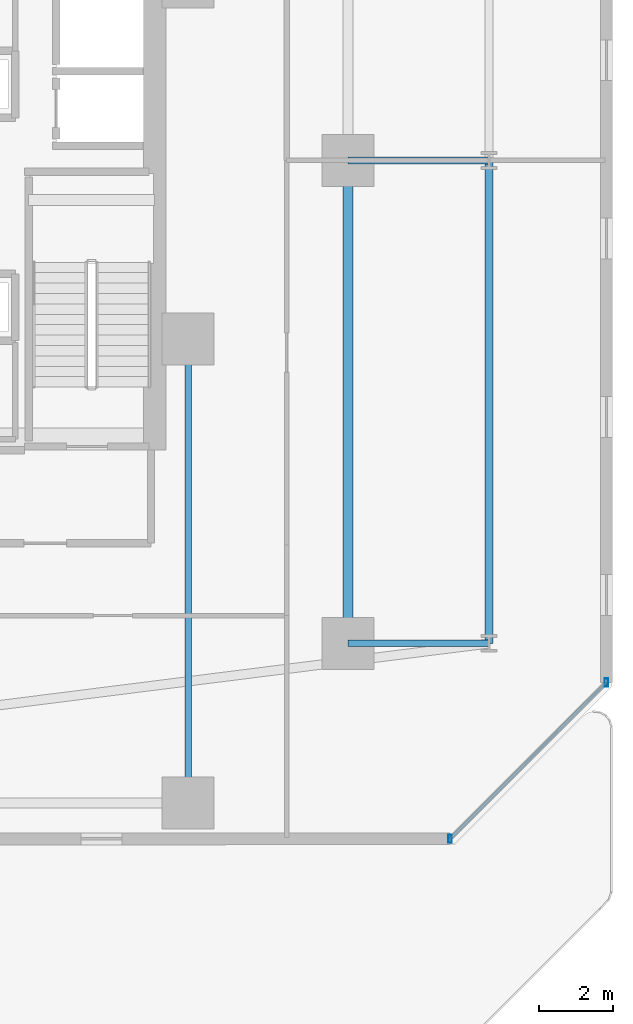
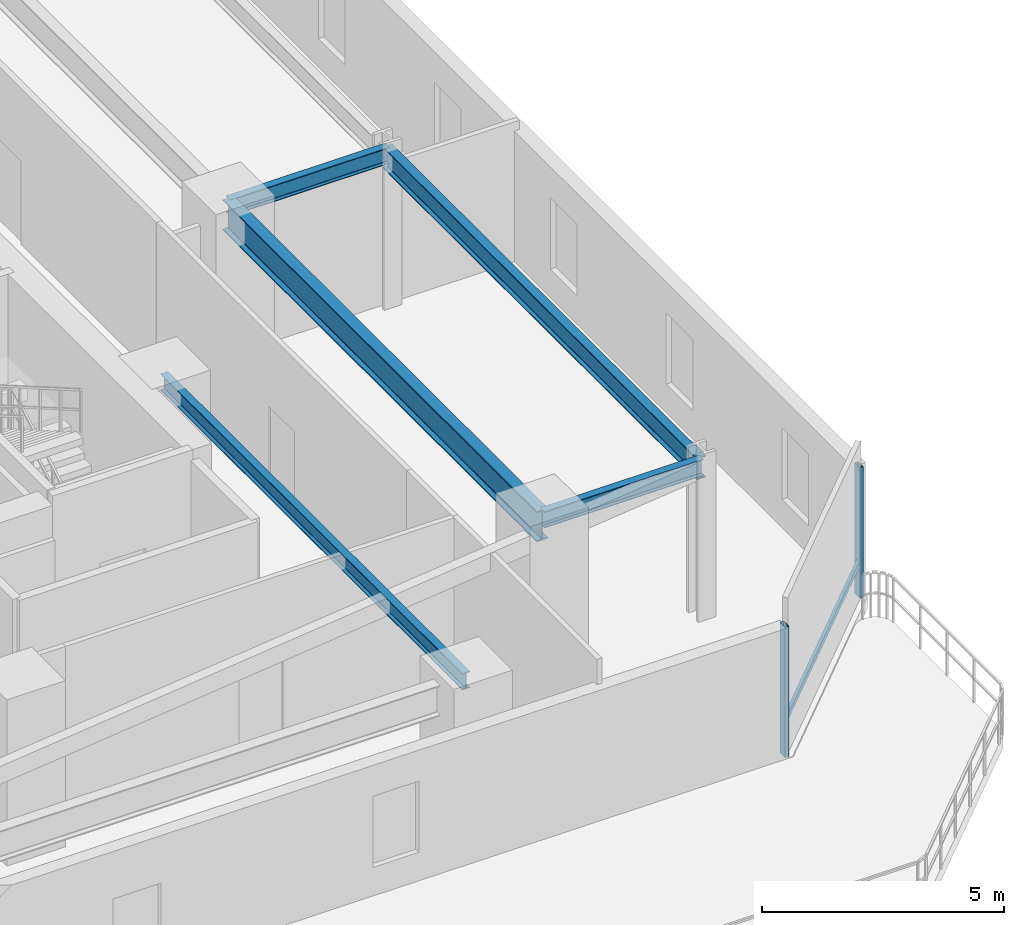
# One storey, part 12 of 33: 5 beams, 3 members, 1 element without a shape of its own.
"""IFC4 building model written with IfcOpenShell, lengths in metres."""

from ifc_helpers import new_model, si_unit, direction, frame, origin, origin_2d, place, context, subcontext, project, spatial, hollow_rectangle, i_section, extrude, material, material_profile, profile_set, type_object, element, aggregate, save


model = new_model("IFC4")

# Units and contexts
model_context = context("Model", 3, precision=1e-05, world=origin(), true_north=direction((0.0, 1.0)))
body_context = subcontext(model_context, "Body", "Model", "MODEL_VIEW")
ifc_project = project(units=[si_unit("LENGTHUNIT", "METRE"), si_unit("AREAUNIT", "SQUARE_METRE"), si_unit("VOLUMEUNIT", "CUBIC_METRE"), si_unit("PLANEANGLEUNIT", "RADIAN"), si_unit("MASSUNIT", "GRAM", prefix="KILO")], contexts=[model_context])

# Site, building, storey
site_placement = place(None, origin())
site = spatial("IfcSite", under=ifc_project, at=site_placement, CompositionType="ELEMENT")
building_placement = place(site_placement, origin())
building = spatial("IfcBuilding", under=site, at=building_placement, Name="Thornwick Lancets Civic Towers", CompositionType="ELEMENT")
storey_placement = place(building_placement, frame((0.0, 0.0, 49.5)))
storey = spatial("IfcBuildingStorey", under=building, at=storey_placement, Name="L12", CompositionType="ELEMENT", Elevation=49.5)

# Beams
ifc_material_1 = material(Name="Steel S355JR", Category="steel")
ifc_material_profile_1 = material_profile(ifc_material_1, i_section(OverallWidth=0.2119140625, OverallDepth=0.54443359375, WebThickness=0.0126953125, FlangeThickness=0.021240234375, FilletRadius=0.0126953125, at=origin_2d()), Name="UKB 533x210x122")
ifc_profile_set_1 = profile_set([ifc_material_profile_1], Name="Steel S355JR")
beam_type_1 = type_object("IfcBeamType", Name="BM_EDGE_533_122", PredefinedType="SPANDREL", material=ifc_profile_set_1)
beam_1_placement = place(storey_placement, frame((109.60009765625, 14.0, 3.687744140625), z_axis=(0.0, 1.0, 0.0), x_axis=(-1.0, 0.0, 0.0)))
element("IfcBeam", 1, at=beam_1_placement, inside=storey, type_object=beam_type_1, Name="BM-EDGE-L12-B-S0-1", PredefinedType="SPANDREL", context=body_context, shape_type="SweptSolid", body=[
    extrude(i_section(OverallWidth=0.2119140625, OverallDepth=0.54443359375, WebThickness=0.0126953125, FlangeThickness=0.021240234375, FilletRadius=0.0126953125, at=origin_2d()), origin(), (0.0, 0.0, 1.0), 13.0),
])
ifc_material_profile_2 = material_profile(ifc_material_1, i_section(OverallWidth=0.26806640625, OverallDepth=0.769775390625, WebThickness=0.015625, FlangeThickness=0.025390625, FilletRadius=0.0166015625, at=origin_2d()), Name="UKB 762x267x197")
ifc_profile_set_2 = profile_set([ifc_material_profile_2], Name="Steel S355JR")
beam_type_2 = type_object("IfcBeamType", Name="BM_GIRD_762_197", PredefinedType="BEAM", material=ifc_profile_set_2)
beam_2_placement = place(storey_placement, frame((105.800048828125, 14.0, 3.5751953125), z_axis=(0.0, 1.0, 0.0), x_axis=(-1.0, 0.0, 0.0)))
element("IfcBeam", 2, at=beam_2_placement, inside=storey, type_object=beam_type_2, Name="BM-SPINE-L12-B-0-1", PredefinedType="BEAM", context=body_context, shape_type="SweptSolid", body=[
    extrude(i_section(OverallWidth=0.26806640625, OverallDepth=0.769775390625, WebThickness=0.015625, FlangeThickness=0.025390625, FilletRadius=0.0166015625, at=origin_2d()), origin(), (0.0, 0.0, 1.0), 13.0),
])
ifc_material_profile_3 = material_profile(ifc_material_1, i_section(OverallWidth=0.179443359375, OverallDepth=0.412841796875, WebThickness=0.009521484375, FlangeThickness=0.01611328125, FilletRadius=0.01025390625, at=origin_2d()), Name="UKB 406x178x74")
ifc_profile_set_3 = profile_set([ifc_material_profile_3], Name="Steel S355JR")
beam_type_3 = type_object("IfcBeamType", Name="BM_JOIST_406_74", PredefinedType="JOIST", material=ifc_profile_set_3)
for number, where, z_axis, x_axis, name in (
    (3, (105.800048828125, 14.0, 3.753662109375), (1.0, 0.0, 0.0), (0.0, 1.0, 0.0), "BM-RAD-L12-B01"),
    (4, (105.800048828125, 27.0, 3.753662109375), (1.0, 0.0, 0.0), (0.0, 1.0, 0.0), "BM-RAD-L12-B02"),
):
    element("IfcBeam", number, at=place(storey_placement, frame(where, z_axis=z_axis, x_axis=x_axis)), inside=storey, type_object=beam_type_3, Name=name, PredefinedType="JOIST", context=body_context, shape_type="SweptSolid", body=[
        extrude(i_section(OverallWidth=0.179443359375, OverallDepth=0.412841796875, WebThickness=0.009521484375, FlangeThickness=0.01611328125, FilletRadius=0.01025390625, at=origin_2d()), origin(), (0.0, 0.0, 1.0), 3.800048828125),
    ])
beam_3_placement = place(storey_placement, frame((101.5, 22.199951171875, 3.753662109375), z_axis=(0.0, -1.0, 0.0), x_axis=(1.0, 0.0, 0.0)))
element("IfcBeam", 5, at=beam_3_placement, inside=storey, type_object=beam_type_3, Name="BM-RADIN-L12-B10", PredefinedType="JOIST", context=body_context, shape_type="SweptSolid", body=[
    extrude(i_section(OverallWidth=0.179443359375, OverallDepth=0.412841796875, WebThickness=0.009521484375, FlangeThickness=0.01611328125, FilletRadius=0.01025390625, at=origin_2d()), origin(), (0.0, 0.0, 1.0), 12.5),
])

# Curtain wall, members
ifc_material_2 = material(Name="Low-zone chamfered-corner unitised glass curtain wall", Category="glass")
curtain_wall_type = type_object("IfcCurtainWallType", Name="CW_SYS_03", PredefinedType="NOTDEFINED", material=ifc_material_2)
curtain_wall_placement = place(storey_placement, origin())
curtain_wall = element("IfcCurtainWall", 6, at=curtain_wall_placement, inside=storey, type_object=curtain_wall_type, Name="L12 Curtain Wall CW-L12-B-E1", PredefinedType="NOTDEFINED")
ifc_material_3 = material(Name="Thermally broken bronze aluminium S355", Category="steel")
ifc_material_profile_4 = material_profile(ifc_material_3, hollow_rectangle(XDim=0.090087890625, YDim=0.219970703125, WallThickness=0.00634765625, at=origin_2d()), Name="RHS 220x90x6.3")
ifc_profile_set_4 = profile_set([ifc_material_profile_4], Name="Thermally broken bronze aluminium S355")
member_type_1 = type_object("IfcMemberType", Name="CW_MUL_220", PredefinedType="MULLION", material=ifc_profile_set_4)
member_1_placement = place(storey_placement, frame((108.551513671875, 8.740478515625, 0.0), z_axis=(0.0, 0.0, 1.0), x_axis=(1.0, 0.0, 0.0)))
member_1 = element("IfcMember", 7, at=member_1_placement, type_object=member_type_1, Name="CW-L12-B-E1 Mullion 0", PredefinedType="MULLION", context=body_context, shape_type="SweptSolid", body=[
    extrude(hollow_rectangle(XDim=0.090087890625, YDim=0.219970703125, WallThickness=0.00634765625, at=origin_2d()), origin(), (0.0, 0.0, 1.0), 3.300048828125),
])
member_2_placement = place(storey_placement, frame((112.759521484375, 12.948486328125, 0.0), z_axis=(0.0, 0.0, 1.0), x_axis=(1.0, 0.0, 0.0)))
member_2 = element("IfcMember", 8, at=member_2_placement, type_object=member_type_1, Name="CW-L12-B-E1 Mullion 1", PredefinedType="MULLION", context=body_context, shape_type="SweptSolid", body=[
    extrude(hollow_rectangle(XDim=0.090087890625, YDim=0.219970703125, WallThickness=0.00634765625, at=origin_2d()), origin(), (0.0, 0.0, 1.0), 3.300048828125),
])
ifc_material_profile_5 = material_profile(ifc_material_3, hollow_rectangle(XDim=0.074951171875, YDim=0.14990234375, WallThickness=0.0048828125, at=origin_2d()), Name="RHS 150x75x5")
ifc_profile_set_5 = profile_set([ifc_material_profile_5], Name="Thermally broken bronze aluminium S355")
member_type_2 = type_object("IfcMemberType", Name="CW_TRN_150", PredefinedType="USERDEFINED", material=ifc_profile_set_5)
member_3_placement = place(storey_placement, frame((108.5654296875, 8.75439453125, 0.85009765625), z_axis=(0.707106781187, 0.707106781187, 0.0), x_axis=(-0.707106781187, 0.707106781187, 0.0)))
member_3 = element("IfcMember", 9, at=member_3_placement, type_object=member_type_2, Name="CW-L12-B-E1 Transom 0", ObjectType="TRANSOM", PredefinedType="USERDEFINED", context=body_context, shape_type="SweptSolid", body=[
    extrude(hollow_rectangle(XDim=0.074951171875, YDim=0.14990234375, WallThickness=0.0048828125, at=origin_2d()), origin(), (0.0, 0.0, 1.0), 5.91162109375),
])
aggregate(curtain_wall, [member_1, member_2, member_3])

save(model, "model.ifc")
